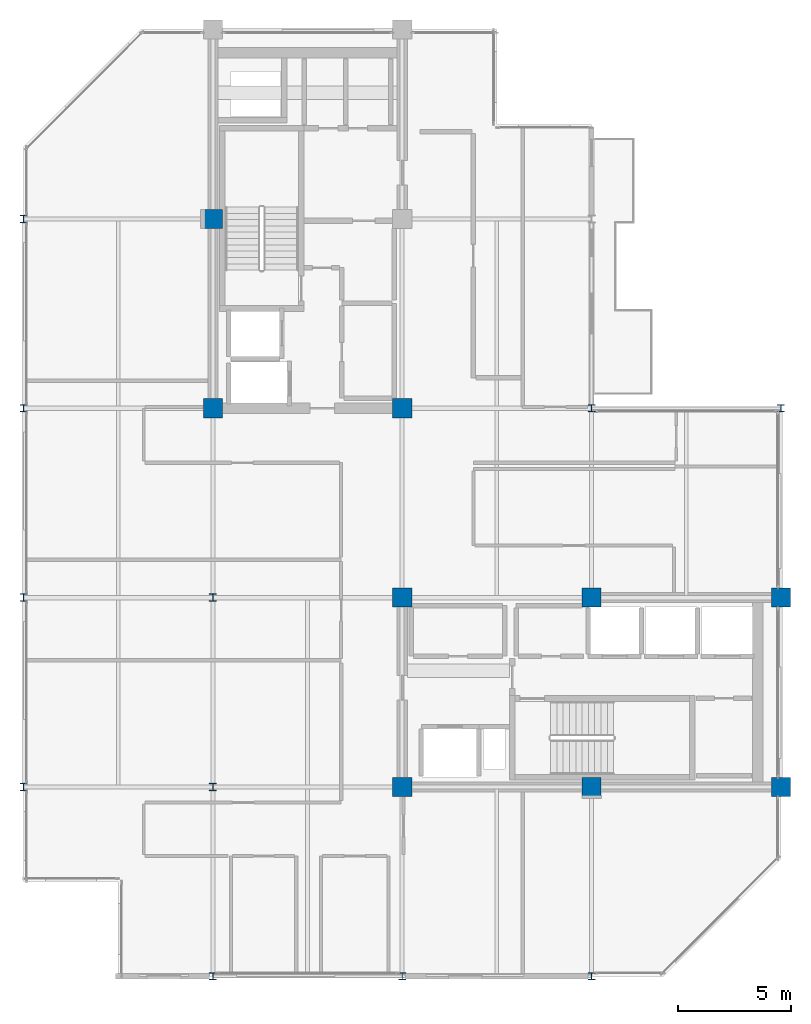
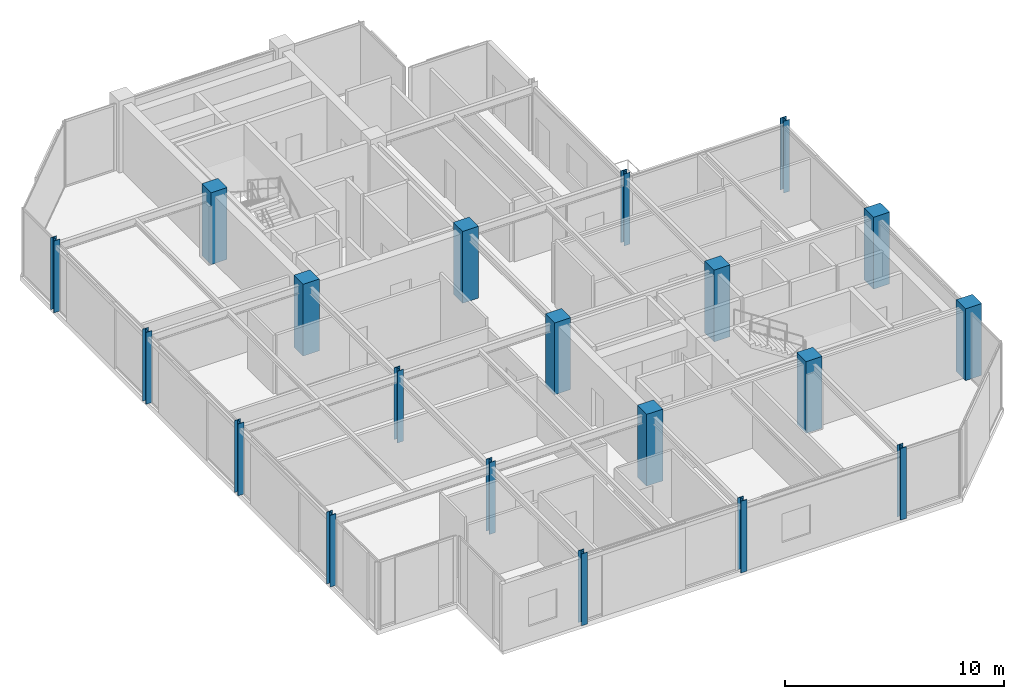
# One storey, part 1 of 24: 20 columns.
"""IFC4 building model written with IfcOpenShell, lengths in metres."""

from ifc_helpers import new_model, si_unit, direction, frame, origin, origin_2d, place, context, subcontext, project, spatial, rectangle, i_section, extrude, material, material_profile, profile_set, type_object, element, save


model = new_model("IFC4")

# Units and contexts
model_context = context("Model", 3, precision=1e-05, world=origin(), true_north=direction((0.0, 1.0)))
body_context = subcontext(model_context, "Body", "Model", "MODEL_VIEW")
ifc_project = project(units=[si_unit("LENGTHUNIT", "METRE"), si_unit("AREAUNIT", "SQUARE_METRE"), si_unit("VOLUMEUNIT", "CUBIC_METRE"), si_unit("PLANEANGLEUNIT", "RADIAN"), si_unit("MASSUNIT", "GRAM", prefix="KILO")], contexts=[model_context])

# Site, building, storey
site_placement = place(None, origin())
site = spatial("IfcSite", under=ifc_project, at=site_placement, CompositionType="ELEMENT")
building_placement = place(site_placement, origin())
building = spatial("IfcBuilding", under=site, at=building_placement, Name="Nerrivon Quay Data Exchange", CompositionType="ELEMENT")
storey_placement = place(building_placement, frame((0.0, 0.0, 294.199951171875)))
storey = spatial("IfcBuildingStorey", under=building, at=storey_placement, Name="L70", CompositionType="ELEMENT", Elevation=294.199951171875)

# Columns
ifc_material_1 = material(Name="Concrete N50 (50 MPa)", Category="concrete")
ifc_material_profile_1 = material_profile(ifc_material_1, rectangle(XDim=0.85009765625, YDim=0.85009765625, at=origin_2d()), Name="RC-COL-850x850")
ifc_profile_set_1 = profile_set([ifc_material_profile_1], Name="Concrete N50 (50 MPa)")
column_type_1 = type_object("IfcColumnType", Name="COL-C5-850", PredefinedType="COLUMN", material=ifc_profile_set_1)
for number, where, z_axis, x_axis, name in (
    (1, (8.39990234375, 25.199951171875, 0.0), (0.0, 0.0, 1.0), (1.0, 0.0, 0.0), "L70 Column (8.4,25.2)"),
    (2, (8.39990234375, 33.60009765625, 0.0), (0.0, 0.0, 1.0), (1.0, 0.0, 0.0), "L70 Column (8.4,33.6)"),
    (3, (16.800048828125, 8.39990234375, 0.0), (0.0, 0.0, 1.0), (1.0, 0.0, 0.0), "L70 Column (16.8,8.4)"),
    (4, (16.800048828125, 16.800048828125, 0.0), (0.0, 0.0, 1.0), (1.0, 0.0, 0.0), "L70 Column (16.8,16.8)"),
    (5, (16.800048828125, 25.199951171875, 0.0), (0.0, 0.0, 1.0), (1.0, 0.0, 0.0), "L70 Column (16.8,25.2)"),
    (6, (25.199951171875, 8.39990234375, 0.0), (0.0, 0.0, 1.0), (1.0, 0.0, 0.0), "L70 Column (25.2,8.4)"),
    (7, (25.199951171875, 16.800048828125, 0.0), (0.0, 0.0, 1.0), (1.0, 0.0, 0.0), "L70 Column (25.2,16.8)"),
    (8, (33.60009765625, 8.39990234375, 0.0), (0.0, 0.0, 1.0), (1.0, 0.0, 0.0), "L70 Column (33.6,8.4)"),
    (9, (33.60009765625, 16.800048828125, 0.0), (0.0, 0.0, 1.0), (1.0, 0.0, 0.0), "L70 Column (33.6,16.8)"),
):
    element("IfcColumn", number, at=place(storey_placement, frame(where, z_axis=z_axis, x_axis=x_axis)), inside=storey, type_object=column_type_1, Name=name, PredefinedType="COLUMN", context=body_context, shape_type="SweptSolid", body=[
        extrude(rectangle(XDim=0.85009765625, YDim=0.85009765625, at=origin_2d()), origin(), (0.0, 0.0, 1.0), 4.0),
    ])
ifc_material_2 = material(Name="Steel Grade 350", Category="steel")
ifc_material_profile_2 = material_profile(ifc_material_2, i_section(OverallWidth=0.31103515625, OverallDepth=0.326904296875, WebThickness=0.015625, FlangeThickness=0.02490234375, FilletRadius=0.0166015625, at=origin_2d()), Name="310UC158")
ifc_profile_set_2 = profile_set([ifc_material_profile_2], Name="Steel Grade 350")
column_type_2 = type_object("IfcColumnType", Name="COL-SC4-310UC158", PredefinedType="COLUMN", material=ifc_profile_set_2)
for number, where, z_axis, x_axis, name in (
    (10, (0.0, 8.39990234375, 0.0), (0.0, 0.0, 1.0), (1.0, 0.0, 0.0), "L70 Column (0.0,8.4)"),
    (11, (0.0, 16.800048828125, 0.0), (0.0, 0.0, 1.0), (1.0, 0.0, 0.0), "L70 Column (0.0,16.8)"),
    (12, (0.0, 25.199951171875, 0.0), (0.0, 0.0, 1.0), (1.0, 0.0, 0.0), "L70 Column (0.0,25.2)"),
    (13, (0.0, 33.60009765625, 0.0), (0.0, 0.0, 1.0), (1.0, 0.0, 0.0), "L70 Column (0.0,33.6)"),
    (14, (8.39990234375, 0.0, 0.0), (0.0, 0.0, 1.0), (1.0, 0.0, 0.0), "L70 Column (8.4,0.0)"),
    (15, (8.39990234375, 8.39990234375, 0.0), (0.0, 0.0, 1.0), (1.0, 0.0, 0.0), "L70 Column (8.4,8.4)"),
    (16, (8.39990234375, 16.800048828125, 0.0), (0.0, 0.0, 1.0), (1.0, 0.0, 0.0), "L70 Column (8.4,16.8)"),
    (17, (16.800048828125, 0.0, 0.0), (0.0, 0.0, 1.0), (1.0, 0.0, 0.0), "L70 Column (16.8,0.0)"),
    (18, (25.199951171875, 0.0, 0.0), (0.0, 0.0, 1.0), (1.0, 0.0, 0.0), "L70 Column (25.2,0.0)"),
    (19, (25.199951171875, 25.199951171875, 0.0), (0.0, 0.0, 1.0), (1.0, 0.0, 0.0), "L70 Column (25.2,25.2)"),
    (20, (33.60009765625, 25.199951171875, 0.0), (0.0, 0.0, 1.0), (1.0, 0.0, 0.0), "L70 Column (33.6,25.2)"),
):
    element("IfcColumn", number, at=place(storey_placement, frame(where, z_axis=z_axis, x_axis=x_axis)), inside=storey, type_object=column_type_2, Name=name, PredefinedType="COLUMN", context=body_context, shape_type="SweptSolid", body=[
        extrude(i_section(OverallWidth=0.31103515625, OverallDepth=0.326904296875, WebThickness=0.015625, FlangeThickness=0.02490234375, FilletRadius=0.0166015625, at=origin_2d()), origin(), (0.0, 0.0, 1.0), 4.0),
    ])

save(model, "model.ifc")
